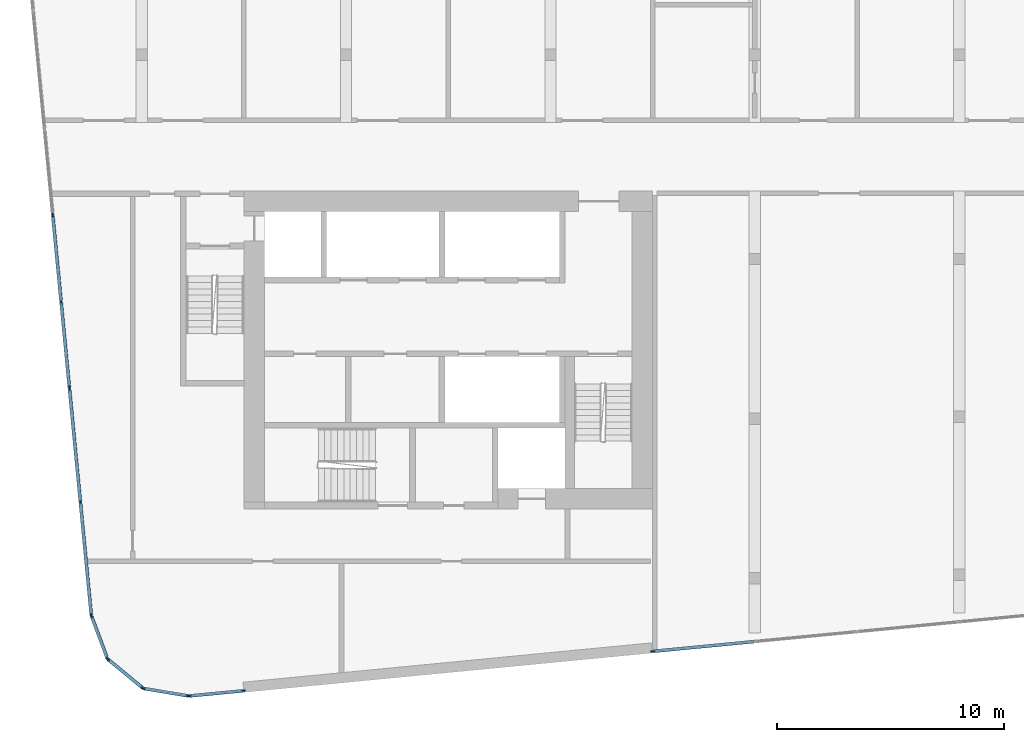
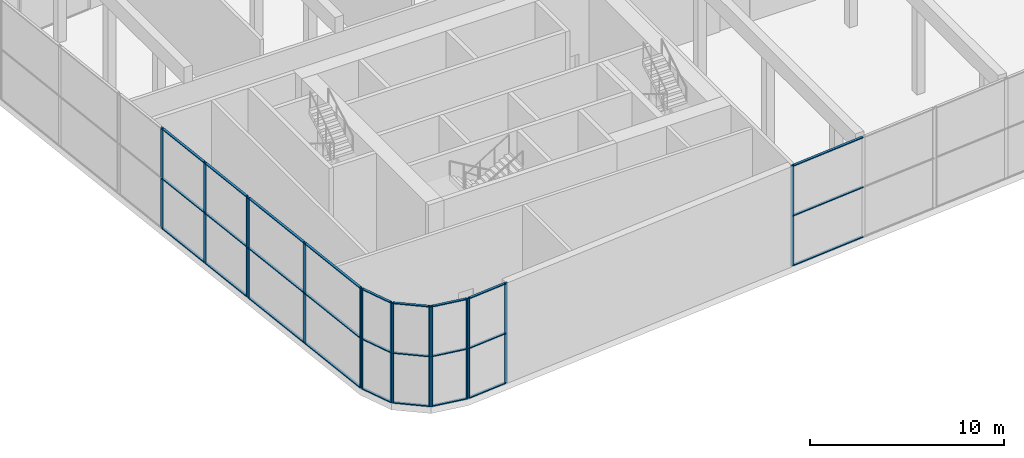
# One storey, part 2 of 24: 42 members, 7 elements without a shape of their own.
"""IFC4 building model written with IfcOpenShell, lengths in metres."""

import ifcopenshell
import ifcopenshell.guid

model = None  # the IFC model being written
_history = None  # IfcOwnerHistory: only IFC2X3 demands one
_inside = {}  # id of a spatial element -> (the spatial element, [elements in it])
_under = {}  # id of a project, library or spatial element -> (it, [spatial elements below it])
_declared = {}  # id of a project -> (the project, [libraries it declares])
_typed = {}  # id of a type object -> (the type object, [elements of that type])
_made_of = {}  # id of a material, layer set ... -> (it, [elements and type objects made of it])


def new_model(schema):
    """Start an empty IFC model of exactly this schema.

    Asked for "IFC4X3", IfcOpenShell would pick the latest addendum, in which some entities
    have other attributes; the version numbers below select the first issue.
    IFC2X3 requires an IfcOwnerHistory on every rooted entity: one is made here for all.
    """
    global model, _history
    if schema == "IFC4X3":
        model = ifcopenshell.file(schema_version=(4, 3, 0, 0))
    else:
        model = ifcopenshell.file(schema=schema)
    _inside.clear()
    _under.clear()
    _declared.clear()
    _typed.clear()
    _made_of.clear()
    _history = None
    if model.schema == "IFC2X3":
        org = make("IfcOrganization", Name="unknown")
        user = make(
            "IfcPersonAndOrganization",
            ThePerson=make("IfcPerson", FamilyName="unknown"),
            TheOrganization=org,
        )
        app = make(
            "IfcApplication",
            ApplicationDeveloper=org,
            Version="unknown",
            ApplicationFullName="unknown",
            ApplicationIdentifier="unknown",
        )
        _history = make(
            "IfcOwnerHistory",
            OwningUser=user,
            OwningApplication=app,
            ChangeAction="ADDED",
            CreationDate=0,
        )
    return model


def make(cls, **values):
    """One entity of the class cls with the attributes given. An attribute that is None is left unset."""
    return model.create_entity(
        cls, **{name: value for name, value in values.items() if value is not None}
    )


def rooted(cls, **values):
    """An entity with a GlobalId (a new one), such as an element, a storey or a relation."""
    return make(cls, GlobalId=ifcopenshell.guid.new(), OwnerHistory=_history, **values)


def si_unit(unit_type, name, prefix=None):
    """IfcSIUnit, for example si_unit("LENGTHUNIT", "METRE", prefix="MILLI")."""
    return make("IfcSIUnit", UnitType=unit_type, Prefix=prefix, Name=name)


def assignment(units):
    """IfcUnitAssignment: the units of a project."""
    return None if units is None else make("IfcUnitAssignment", Units=units)


def point(xyz):
    """IfcCartesianPoint."""
    return None if xyz is None else make("IfcCartesianPoint", Coordinates=xyz)


def direction(xyz):
    """IfcDirection."""
    return None if xyz is None else make("IfcDirection", DirectionRatios=xyz)


def frame(location, z_axis=None, x_axis=None):
    """IfcAxis2Placement3D, a coordinate frame: its origin and axes. An axis left out is left unset."""
    return make(
        "IfcAxis2Placement3D",
        Location=point(location),
        Axis=direction(z_axis),
        RefDirection=direction(x_axis),
    )


def frame_2d(location, x_axis=None):
    """IfcAxis2Placement2D, a coordinate frame in the plane: its origin and x axis."""
    return make(
        "IfcAxis2Placement2D", Location=point(location), RefDirection=direction(x_axis)
    )


def origin():
    """The frame at (0, 0, 0) with its axes left unset."""
    return frame((0.0, 0.0, 0.0))


def origin_2d():
    """The frame at (0, 0) in the plane with its x axis left unset."""
    return frame_2d((0.0, 0.0))


def place(relative_to, where):
    """IfcLocalPlacement: puts the frame where relative to a parent placement (None: the world)."""
    return make(
        "IfcLocalPlacement", PlacementRelTo=relative_to, RelativePlacement=where
    )


def context(
    kind, dimensions, precision=None, world=None, true_north=None, identifier=None
):
    """IfcGeometricRepresentationContext, for example the 3D "Model" context."""
    return make(
        "IfcGeometricRepresentationContext",
        ContextIdentifier=identifier,
        ContextType=kind,
        CoordinateSpaceDimension=dimensions,
        Precision=precision,
        WorldCoordinateSystem=world,
        TrueNorth=true_north,
    )


def subcontext(parent, identifier, kind, view, scale=None):
    """IfcGeometricRepresentationSubContext, for example "Body" below "Model"."""
    return make(
        "IfcGeometricRepresentationSubContext",
        ContextIdentifier=identifier,
        ContextType=kind,
        ParentContext=parent,
        TargetScale=scale,
        TargetView=view,
    )


def project(units=None, contexts=None):
    """IfcProject with its units and contexts."""
    return rooted(
        "IfcProject",
        Name="project",
        RepresentationContexts=contexts,
        UnitsInContext=assignment(units),
    )


def spatial(cls, under=None, at=None, **own):
    """A site, building, storey or space (cls), placed at a placement, below another one or the project."""
    s = rooted(cls, ObjectPlacement=at, **own)
    if under is not None:
        _under.setdefault(under.id(), (under, []))[1].append(s)
    return s


def profile(cls, at=None, kind="AREA", **sizes):
    """A parametric profile (cls). Its sizes go by their IFC names, for example OverallWidth=200.0."""
    return make(cls, ProfileType=kind, Position=at, **sizes)


def rectangle(**sizes):
    """IfcRectangleProfileDef."""
    return profile("IfcRectangleProfileDef", **sizes)


def extrude(swept, where, along, depth):
    """IfcExtrudedAreaSolid: the profile swept, set in the frame where, extruded along a direction by depth."""
    return make(
        "IfcExtrudedAreaSolid",
        SweptArea=swept,
        Position=where,
        ExtrudedDirection=direction(along),
        Depth=depth,
    )


def shape(context_of_items, identifier, shape_type, items):
    """IfcShapeRepresentation: the items that make up one representation, for example the "Body"."""
    return make(
        "IfcShapeRepresentation",
        ContextOfItems=context_of_items,
        RepresentationIdentifier=identifier,
        RepresentationType=shape_type,
        Items=items,
    )


def material(Name=None, Category=None):
    """IfcMaterial."""
    return make("IfcMaterial", Name=Name, Category=Category)


def material_profile(
    of_material, cross_section, Name=None, Category=None, Priority=None
):
    """IfcMaterialProfile: a cross section and its material."""
    return make(
        "IfcMaterialProfile",
        Name=Name,
        Material=of_material,
        Profile=cross_section,
        Priority=Priority,
        Category=Category,
    )


def profile_set(profiles, Name=None, composite=None):
    """IfcMaterialProfileSet."""
    return make(
        "IfcMaterialProfileSet",
        Name=Name,
        MaterialProfiles=profiles,
        CompositeProfile=composite,
    )


def made_of(thing, what):
    """Note that an element or type object is made of a material, layer set ...; save() writes the relation."""
    if what is not None:
        _made_of.setdefault(what.id(), (what, []))[1].append(thing)
    return thing


def type_object(cls, material=None, **own):
    """A type object (cls), such as IfcWallType, which elements share."""
    return made_of(rooted(cls, **own), material)


def element(
    cls,
    number,
    at=None,
    inside=None,
    cuts=None,
    type_object=None,
    material=None,
    context=None,
    identifier="Body",
    shape_type=None,
    held_by="IfcProductDefinitionShape",
    body=None,
    shapes=None,
    **own,
):
    """One element of the class cls, such as IfcWall. Its Tag is "e" and its number.

    at: its placement. inside: the storey or other place that contains it. cuts: it is an
    opening in that element (IfcRelVoidsElement). A single representation is given by context,
    identifier, shape_type and body (its items); several are given by shapes. held_by: the class
    of the entity that holds the representations. save() writes the other relations.
    """
    e = rooted(cls, Tag="e%d" % number, ObjectPlacement=at, **own)
    if body is not None:
        shapes = [shape(context, identifier, shape_type, body)]
    if shapes is not None:
        e.Representation = make(held_by, Representations=shapes)
    if inside is not None:
        _inside.setdefault(inside.id(), (inside, []))[1].append(e)
    if cuts is not None:
        rooted(
            "IfcRelVoidsElement", RelatingBuildingElement=cuts, RelatedOpeningElement=e
        )
    if type_object is not None:
        _typed.setdefault(type_object.id(), (type_object, []))[1].append(e)
    return made_of(e, material)


def aggregate(whole, parts):
    """IfcRelAggregates: a whole, such as a stair, and the parts it consists of."""
    return rooted("IfcRelAggregates", RelatingObject=whole, RelatedObjects=parts)


def save(model, path):
    """Write the relations noted so far, then the file.

    IfcRelAggregates (storeys below a building ...), IfcRelContainedInSpatialStructure (elements
    in a storey), IfcRelDefinesByType, IfcRelAssociatesMaterial and IfcRelDeclares: one each for
    every whole, place, type object, material and project.
    """
    for whole, parts in _under.values():
        aggregate(whole, parts)
    for where, things in _inside.values():
        rooted(
            "IfcRelContainedInSpatialStructure",
            RelatedElements=things,
            RelatingStructure=where,
        )
    for kind, things in _typed.values():
        rooted("IfcRelDefinesByType", RelatedObjects=things, RelatingType=kind)
    for what, things in _made_of.values():
        rooted("IfcRelAssociatesMaterial", RelatedObjects=things, RelatingMaterial=what)
    for by, libraries in _declared.values():
        rooted("IfcRelDeclares", RelatingContext=by, RelatedDefinitions=libraries)
    model.write(path)


model = new_model("IFC4")

# Units and contexts
model_context = context("Model", 3, precision=1e-05, world=origin(), true_north=direction((0.0, 1.0)))
body_context = subcontext(model_context, "Body", "Model", "MODEL_VIEW")
ifc_project = project(units=[si_unit("LENGTHUNIT", "METRE"), si_unit("AREAUNIT", "SQUARE_METRE"), si_unit("VOLUMEUNIT", "CUBIC_METRE"), si_unit("PLANEANGLEUNIT", "RADIAN"), si_unit("MASSUNIT", "GRAM", prefix="KILO")], contexts=[model_context])

# Site, building, storey
site_placement = place(None, origin())
site = spatial("IfcSite", under=ifc_project, at=site_placement, CompositionType="ELEMENT")
building_placement = place(site_placement, origin())
building = spatial("IfcBuilding", under=site, at=building_placement, Name="Kajstack Hotel Tower", CompositionType="ELEMENT")
storey_placement = place(building_placement, frame((0.0, 0.0, 261.89990234375)))
storey = spatial("IfcBuildingStorey", under=building, at=storey_placement, Name="L65", CompositionType="ELEMENT", Elevation=261.89990234375)

# Curtain wall, members
ifc_material_1 = material(Name="Aluminium-framed curtain wall, low-iron insulated glass", Category="aluminium")
curtain_wall_type = type_object("IfcCurtainWallType", Name="CW-GARDEN", PredefinedType="NOTDEFINED", material=ifc_material_1)
curtain_wall_1_placement = place(storey_placement, origin())
curtain_wall_1 = element("IfcCurtainWall", 1, at=curtain_wall_1_placement, inside=storey, type_object=curtain_wall_type, Name="Curtain wall CU6 L65-00-00-1", PredefinedType="NOTDEFINED")
ifc_material_2 = material(Name="Aluminium", Category="aluminium")
ifc_material_profile_1 = material_profile(ifc_material_2, rectangle(XDim=0.06005859375, YDim=0.199951171875, at=origin_2d()), Name="Aluminium mullion 60 x 200")
ifc_profile_set_1 = profile_set([ifc_material_profile_1], Name="Aluminium")
member_type_1 = type_object("IfcMemberType", Name="CW-M-GARDEN", PredefinedType="MULLION", material=ifc_profile_set_1)
member_1_placement = place(storey_placement, frame((-39.910888671875, -2.5927734375, 0.0), z_axis=(0.0, 0.0, 1.0), x_axis=(0.995396101069, 0.095846763, 0.0)))
member_1 = element("IfcMember", 2, at=member_1_placement, type_object=member_type_1, Name="CU6 mullion 2", PredefinedType="MULLION", context=body_context, shape_type="SweptSolid", body=[
    extrude(rectangle(XDim=0.06005859375, YDim=0.199951171875, at=origin_2d()), origin(), (0.0, 0.0, 1.0), 6.320068359375),
])
member_2_placement = place(storey_placement, frame((-39.544921875, -6.392822265625, 0.0), z_axis=(0.0, 0.0, 1.0), x_axis=(0.995396101069, 0.095846763, 0.0)))
member_2 = element("IfcMember", 3, at=member_2_placement, type_object=member_type_1, Name="CU6 mullion 3", PredefinedType="MULLION", context=body_context, shape_type="SweptSolid", body=[
    extrude(rectangle(XDim=0.06005859375, YDim=0.199951171875, at=origin_2d()), origin(), (0.0, 0.0, 1.0), 6.320068359375),
])
member_3_placement = place(storey_placement, frame((-39.181884765625, -10.1630859375, 0.0), z_axis=(0.0, 0.0, 1.0), x_axis=(0.995396101069, 0.095846763, 0.0)))
member_3 = element("IfcMember", 4, at=member_3_placement, type_object=member_type_1, Name="CU6 mullion 4", PredefinedType="MULLION", context=body_context, shape_type="SweptSolid", body=[
    extrude(rectangle(XDim=0.06005859375, YDim=0.199951171875, at=origin_2d()), origin(), (0.0, 0.0, 1.0), 6.320068359375),
])

curtain_wall_2_placement = place(storey_placement, origin())
curtain_wall_2 = element("IfcCurtainWall", 5, at=curtain_wall_2_placement, inside=storey, type_object=curtain_wall_type, Name="Curtain wall CU6 L65-00-00-2", PredefinedType="NOTDEFINED")
member_4_placement = place(storey_placement, frame((-39.17626953125, -10.22265625, 0.0), z_axis=(0.0, 0.0, 1.0), x_axis=(0.995396091199, 0.0958468655, 0.0)))
member_4 = element("IfcMember", 6, at=member_4_placement, type_object=member_type_1, Name="CU6 mullion 1", PredefinedType="MULLION", context=body_context, shape_type="SweptSolid", body=[
    extrude(rectangle(XDim=0.06005859375, YDim=0.199951171875, at=origin_2d()), origin(), (0.0, 0.0, 1.0), 6.320068359375),
])
member_5_placement = place(storey_placement, frame((-38.69677734375, -15.200927734375, 0.0), z_axis=(0.0, 0.0, 1.0), x_axis=(0.995396091199, 0.0958468655, 0.0)))
member_5 = element("IfcMember", 7, at=member_5_placement, type_object=member_type_1, Name="CU6 mullion 2", PredefinedType="MULLION", context=body_context, shape_type="SweptSolid", body=[
    extrude(rectangle(XDim=0.06005859375, YDim=0.199951171875, at=origin_2d()), origin(), (0.0, 0.0, 1.0), 6.320068359375),
])
member_6_placement = place(storey_placement, frame((-38.217529296875, -20.179443359375, 0.0), z_axis=(0.0, 0.0, 1.0), x_axis=(0.995396091199, 0.0958468655, 0.0)))
member_6 = element("IfcMember", 8, at=member_6_placement, type_object=member_type_1, Name="CU6 mullion 3", PredefinedType="MULLION", context=body_context, shape_type="SweptSolid", body=[
    extrude(rectangle(XDim=0.06005859375, YDim=0.199951171875, at=origin_2d()), origin(), (0.0, 0.0, 1.0), 6.320068359375),
])

curtain_wall_3_placement = place(storey_placement, origin())
curtain_wall_3 = element("IfcCurtainWall", 9, at=curtain_wall_3_placement, inside=storey, type_object=curtain_wall_type, Name="Curtain wall CU6 L65-01-00-0", PredefinedType="NOTDEFINED")
member_7_placement = place(storey_placement, frame((-38.20849609375, -20.21826171875, 0.0), z_axis=(0.0, 0.0, 1.0), x_axis=(0.936674082046, 0.3502023187, 0.0)))
member_7 = element("IfcMember", 10, at=member_7_placement, type_object=member_type_1, Name="CU6 mullion 1", PredefinedType="MULLION", context=body_context, shape_type="SweptSolid", body=[
    extrude(rectangle(XDim=0.06005859375, YDim=0.199951171875, at=origin_2d()), origin(), (0.0, 0.0, 1.0), 6.320068359375),
])
member_8_placement = place(storey_placement, frame((-37.50439453125, -22.101318359375, 0.0), z_axis=(0.0, 0.0, 1.0), x_axis=(0.936674082046, 0.3502023187, 0.0)))
member_8 = element("IfcMember", 11, at=member_8_placement, type_object=member_type_1, Name="CU6 mullion 2", PredefinedType="MULLION", context=body_context, shape_type="SweptSolid", body=[
    extrude(rectangle(XDim=0.06005859375, YDim=0.199951171875, at=origin_2d()), origin(), (0.0, 0.0, 1.0), 6.320068359375),
])

curtain_wall_4_placement = place(storey_placement, origin())
curtain_wall_4 = element("IfcCurtainWall", 12, at=curtain_wall_4_placement, inside=storey, type_object=curtain_wall_type, Name="Curtain wall CU6 L65-02-00-0", PredefinedType="NOTDEFINED")
member_9_placement = place(storey_placement, frame((-37.4931640625, -22.116943359375, 0.0), z_axis=(0.0, 0.0, 1.0), x_axis=(0.636094828048, 0.771610892698, 0.0)))
member_9 = element("IfcMember", 13, at=member_9_placement, type_object=member_type_1, Name="CU6 mullion 1", PredefinedType="MULLION", context=body_context, shape_type="SweptSolid", body=[
    extrude(rectangle(XDim=0.06005859375, YDim=0.199951171875, at=origin_2d()), origin(), (0.0, 0.0, 1.0), 6.320068359375),
])
member_10_placement = place(storey_placement, frame((-35.94189453125, -23.39599609375, 0.0), z_axis=(0.0, 0.0, 1.0), x_axis=(0.636094828048, 0.771610892698, 0.0)))
member_10 = element("IfcMember", 14, at=member_10_placement, type_object=member_type_1, Name="CU6 mullion 2", PredefinedType="MULLION", context=body_context, shape_type="SweptSolid", body=[
    extrude(rectangle(XDim=0.06005859375, YDim=0.199951171875, at=origin_2d()), origin(), (0.0, 0.0, 1.0), 6.320068359375),
])

curtain_wall_5_placement = place(storey_placement, origin())
curtain_wall_5 = element("IfcCurtainWall", 15, at=curtain_wall_5_placement, inside=storey, type_object=curtain_wall_type, Name="Curtain wall CU6 L65-03-00-0", PredefinedType="NOTDEFINED")
member_11_placement = place(storey_placement, frame((-35.92431640625, -23.40380859375, 0.0), z_axis=(0.0, 0.0, 1.0), x_axis=(0.16503335054, 0.986287986954, 0.0)))
member_11 = element("IfcMember", 16, at=member_11_placement, type_object=member_type_1, Name="CU6 mullion 1", PredefinedType="MULLION", context=body_context, shape_type="SweptSolid", body=[
    extrude(rectangle(XDim=0.06005859375, YDim=0.199951171875, at=origin_2d()), origin(), (0.0, 0.0, 1.0), 6.320068359375),
])
member_12_placement = place(storey_placement, frame((-33.94140625, -23.735595703125, 0.0), z_axis=(0.0, 0.0, 1.0), x_axis=(0.16503335054, 0.986287986954, 0.0)))
member_12 = element("IfcMember", 17, at=member_12_placement, type_object=member_type_1, Name="CU6 mullion 2", PredefinedType="MULLION", context=body_context, shape_type="SweptSolid", body=[
    extrude(rectangle(XDim=0.06005859375, YDim=0.199951171875, at=origin_2d()), origin(), (0.0, 0.0, 1.0), 6.320068359375),
])

curtain_wall_6_placement = place(storey_placement, origin())
curtain_wall_6 = element("IfcCurtainWall", 18, at=curtain_wall_6_placement, inside=storey, type_object=curtain_wall_type, Name="Curtain wall CU6 L65-04-00-0", PredefinedType="NOTDEFINED")
member_13_placement = place(storey_placement, frame((-33.901611328125, -23.737060546875, 0.0), z_axis=(0.0, 0.0, 1.0), x_axis=(-0.095846081442, 0.995396166696, 0.0)))
member_13 = element("IfcMember", 19, at=member_13_placement, type_object=member_type_1, Name="CU6 mullion 1", PredefinedType="MULLION", context=body_context, shape_type="SweptSolid", body=[
    extrude(rectangle(XDim=0.06005859375, YDim=0.199951171875, at=origin_2d()), origin(), (0.0, 0.0, 1.0), 6.320068359375),
])
member_14_placement = place(storey_placement, frame((-31.537109375, -23.50927734375, 0.0), z_axis=(0.0, 0.0, 1.0), x_axis=(-0.095846081442, 0.995396166696, 0.0)))
member_14 = element("IfcMember", 20, at=member_14_placement, type_object=member_type_1, Name="CU6 mullion 2", PredefinedType="MULLION", context=body_context, shape_type="SweptSolid", body=[
    extrude(rectangle(XDim=0.06005859375, YDim=0.199951171875, at=origin_2d()), origin(), (0.0, 0.0, 1.0), 6.320068359375),
])

# Curtain wall, member
curtain_wall_7_placement = place(storey_placement, origin())
curtain_wall_7 = element("IfcCurtainWall", 21, at=curtain_wall_7_placement, inside=storey, type_object=curtain_wall_type, Name="Curtain wall CU6 L65-04-02-0", PredefinedType="NOTDEFINED")
member_15_placement = place(storey_placement, frame((-13.477294921875, -21.7705078125, 0.0), z_axis=(0.0, 0.0, 1.0), x_axis=(-0.095846360834, 0.995396139793, 0.0)))
member_15 = element("IfcMember", 22, at=member_15_placement, type_object=member_type_1, Name="CU6 mullion 1", PredefinedType="MULLION", context=body_context, shape_type="SweptSolid", body=[
    extrude(rectangle(XDim=0.06005859375, YDim=0.199951171875, at=origin_2d()), origin(), (0.0, 0.0, 1.0), 6.320068359375),
])

# Member
ifc_material_profile_2 = material_profile(ifc_material_2, rectangle(XDim=0.139892578125, YDim=0.06005859375, at=origin_2d()), Name="Aluminium transom 140 x 60")
ifc_profile_set_2 = profile_set([ifc_material_profile_2], Name="Aluminium")
member_type_2 = type_object("IfcMemberType", Name="CW-T-GARDEN", PredefinedType="USERDEFINED", material=ifc_profile_set_2)
member_16_placement = place(storey_placement, frame((-39.907958984375, -2.622802734375, 0.030029296875), z_axis=(0.095836210686, -0.995397117095, 0.0), x_axis=(0.995397117095, 0.095836210686, 0.0)))
member_16 = element("IfcMember", 23, at=member_16_placement, type_object=member_type_2, Name="CU6 transom 2.1", ObjectType="TRANSOM", PredefinedType="USERDEFINED", context=body_context, shape_type="SweptSolid", body=[
    extrude(rectangle(XDim=0.139892578125, YDim=0.06005859375, at=origin_2d()), origin(), (0.0, 0.0, 1.0), 3.757568359375),
])

member_17_placement = place(storey_placement, frame((-39.907958984375, -2.622802734375, 3.16015625), z_axis=(0.095836210686, -0.995397117095, 0.0), x_axis=(0.995397117095, 0.095836210686, 0.0)))
member_17 = element("IfcMember", 24, at=member_17_placement, type_object=member_type_2, Name="CU6 transom 2.2", ObjectType="TRANSOM", PredefinedType="USERDEFINED", context=body_context, shape_type="SweptSolid", body=[
    extrude(rectangle(XDim=0.139892578125, YDim=0.06005859375, at=origin_2d()), origin(), (0.0, 0.0, 1.0), 3.757568359375),
])

member_18_placement = place(storey_placement, frame((-39.907958984375, -2.622802734375, 6.2900390625), z_axis=(0.095836210686, -0.995397117095, 0.0), x_axis=(0.995397117095, 0.095836210686, 0.0)))
member_18 = element("IfcMember", 25, at=member_18_placement, type_object=member_type_2, Name="CU6 transom 2.3", ObjectType="TRANSOM", PredefinedType="USERDEFINED", context=body_context, shape_type="SweptSolid", body=[
    extrude(rectangle(XDim=0.139892578125, YDim=0.06005859375, at=origin_2d()), origin(), (0.0, 0.0, 1.0), 3.757568359375),
])

member_19_placement = place(storey_placement, frame((-39.5419921875, -6.422607421875, 0.030029296875), z_axis=(0.095819733063, -0.995398703413, 0.0), x_axis=(0.995398703413, 0.095819733063, 0.0)))
member_19 = element("IfcMember", 26, at=member_19_placement, type_object=member_type_2, Name="CU6 transom 3.1", ObjectType="TRANSOM", PredefinedType="USERDEFINED", context=body_context, shape_type="SweptSolid", body=[
    extrude(rectangle(XDim=0.139892578125, YDim=0.06005859375, at=origin_2d()), origin(), (0.0, 0.0, 1.0), 3.7275390625),
])

member_20_placement = place(storey_placement, frame((-39.5419921875, -6.422607421875, 3.16015625), z_axis=(0.095819733063, -0.995398703413, 0.0), x_axis=(0.995398703413, 0.095819733063, 0.0)))
member_20 = element("IfcMember", 27, at=member_20_placement, type_object=member_type_2, Name="CU6 transom 3.2", ObjectType="TRANSOM", PredefinedType="USERDEFINED", context=body_context, shape_type="SweptSolid", body=[
    extrude(rectangle(XDim=0.139892578125, YDim=0.06005859375, at=origin_2d()), origin(), (0.0, 0.0, 1.0), 3.7275390625),
])

member_21_placement = place(storey_placement, frame((-39.5419921875, -6.422607421875, 6.2900390625), z_axis=(0.095819733063, -0.995398703413, 0.0), x_axis=(0.995398703413, 0.095819733063, 0.0)))
member_21 = element("IfcMember", 28, at=member_21_placement, type_object=member_type_2, Name="CU6 transom 3.3", ObjectType="TRANSOM", PredefinedType="USERDEFINED", context=body_context, shape_type="SweptSolid", body=[
    extrude(rectangle(XDim=0.139892578125, YDim=0.06005859375, at=origin_2d()), origin(), (0.0, 0.0, 1.0), 3.7275390625),
])

aggregate(curtain_wall_1, [member_1, member_2, member_3, member_16, member_17, member_18, member_19, member_20, member_21])

member_22_placement = place(storey_placement, frame((-39.17333984375, -10.25244140625, 0.030029296875), z_axis=(0.095848912225, -0.995395894117, 0.0), x_axis=(0.995395894117, 0.095848912225, 0.0)))
member_22 = element("IfcMember", 29, at=member_22_placement, type_object=member_type_2, Name="CU6 transom 1.1", ObjectType="TRANSOM", PredefinedType="USERDEFINED", context=body_context, shape_type="SweptSolid", body=[
    extrude(rectangle(XDim=0.139892578125, YDim=0.06005859375, at=origin_2d()), origin(), (0.0, 0.0, 1.0), 4.94140625),
])

member_23_placement = place(storey_placement, frame((-39.17333984375, -10.25244140625, 3.16015625), z_axis=(0.095848912225, -0.995395894117, 0.0), x_axis=(0.995395894117, 0.095848912225, 0.0)))
member_23 = element("IfcMember", 30, at=member_23_placement, type_object=member_type_2, Name="CU6 transom 1.2", ObjectType="TRANSOM", PredefinedType="USERDEFINED", context=body_context, shape_type="SweptSolid", body=[
    extrude(rectangle(XDim=0.139892578125, YDim=0.06005859375, at=origin_2d()), origin(), (0.0, 0.0, 1.0), 4.94140625),
])

member_24_placement = place(storey_placement, frame((-39.17333984375, -10.25244140625, 6.2900390625), z_axis=(0.095848912225, -0.995395894117, 0.0), x_axis=(0.995395894117, 0.095848912225, 0.0)))
member_24 = element("IfcMember", 31, at=member_24_placement, type_object=member_type_2, Name="CU6 transom 1.3", ObjectType="TRANSOM", PredefinedType="USERDEFINED", context=body_context, shape_type="SweptSolid", body=[
    extrude(rectangle(XDim=0.139892578125, YDim=0.06005859375, at=origin_2d()), origin(), (0.0, 0.0, 1.0), 4.94140625),
])

member_25_placement = place(storey_placement, frame((-38.69384765625, -15.23095703125, 0.030029296875), z_axis=(0.095853626226, -0.995395440184, 0.0), x_axis=(0.995395440184, 0.095853626226, 0.0)))
member_25 = element("IfcMember", 32, at=member_25_placement, type_object=member_type_2, Name="CU6 transom 2.1", ObjectType="TRANSOM", PredefinedType="USERDEFINED", context=body_context, shape_type="SweptSolid", body=[
    extrude(rectangle(XDim=0.139892578125, YDim=0.06005859375, at=origin_2d()), origin(), (0.0, 0.0, 1.0), 4.941162109375),
])

member_26_placement = place(storey_placement, frame((-38.69384765625, -15.23095703125, 3.16015625), z_axis=(0.095853626226, -0.995395440184, 0.0), x_axis=(0.995395440184, 0.095853626226, 0.0)))
member_26 = element("IfcMember", 33, at=member_26_placement, type_object=member_type_2, Name="CU6 transom 2.2", ObjectType="TRANSOM", PredefinedType="USERDEFINED", context=body_context, shape_type="SweptSolid", body=[
    extrude(rectangle(XDim=0.139892578125, YDim=0.06005859375, at=origin_2d()), origin(), (0.0, 0.0, 1.0), 4.941162109375),
])

member_27_placement = place(storey_placement, frame((-38.69384765625, -15.23095703125, 6.2900390625), z_axis=(0.095853626226, -0.995395440184, 0.0), x_axis=(0.995395440184, 0.095853626226, 0.0)))
member_27 = element("IfcMember", 34, at=member_27_placement, type_object=member_type_2, Name="CU6 transom 2.3", ObjectType="TRANSOM", PredefinedType="USERDEFINED", context=body_context, shape_type="SweptSolid", body=[
    extrude(rectangle(XDim=0.139892578125, YDim=0.06005859375, at=origin_2d()), origin(), (0.0, 0.0, 1.0), 4.941162109375),
])

aggregate(curtain_wall_2, [member_4, member_5, member_6, member_22, member_23, member_24, member_25, member_26, member_27])

member_28_placement = place(storey_placement, frame((-38.197998046875, -20.246337890625, 0.030029296875), z_axis=(0.350231645231, -0.936663116963, 0.0), x_axis=(0.936663116963, 0.350231645231, 0.0)))
member_28 = element("IfcMember", 35, at=member_28_placement, type_object=member_type_2, Name="CU6 transom 1.1", ObjectType="TRANSOM", PredefinedType="USERDEFINED", context=body_context, shape_type="SweptSolid", body=[
    extrude(rectangle(XDim=0.139892578125, YDim=0.06005859375, at=origin_2d()), origin(), (0.0, 0.0, 1.0), 1.950439453125),
])

member_29_placement = place(storey_placement, frame((-38.197998046875, -20.246337890625, 3.16015625), z_axis=(0.350231645231, -0.936663116963, 0.0), x_axis=(0.936663116963, 0.350231645231, 0.0)))
member_29 = element("IfcMember", 36, at=member_29_placement, type_object=member_type_2, Name="CU6 transom 1.2", ObjectType="TRANSOM", PredefinedType="USERDEFINED", context=body_context, shape_type="SweptSolid", body=[
    extrude(rectangle(XDim=0.139892578125, YDim=0.06005859375, at=origin_2d()), origin(), (0.0, 0.0, 1.0), 1.950439453125),
])

member_30_placement = place(storey_placement, frame((-38.197998046875, -20.246337890625, 6.2900390625), z_axis=(0.350231645231, -0.936663116963, 0.0), x_axis=(0.936663116963, 0.350231645231, 0.0)))
member_30 = element("IfcMember", 37, at=member_30_placement, type_object=member_type_2, Name="CU6 transom 1.3", ObjectType="TRANSOM", PredefinedType="USERDEFINED", context=body_context, shape_type="SweptSolid", body=[
    extrude(rectangle(XDim=0.139892578125, YDim=0.06005859375, at=origin_2d()), origin(), (0.0, 0.0, 1.0), 1.950439453125),
])

aggregate(curtain_wall_3, [member_7, member_8, member_28, member_29, member_30])

member_31_placement = place(storey_placement, frame((-37.47021484375, -22.135986328125, 0.030029296875), z_axis=(0.771565230833, -0.63615021384, 0.0), x_axis=(0.63615021384, 0.771565230833, 0.0)))
member_31 = element("IfcMember", 38, at=member_31_placement, type_object=member_type_2, Name="CU6 transom 1.1", ObjectType="TRANSOM", PredefinedType="USERDEFINED", context=body_context, shape_type="SweptSolid", body=[
    extrude(rectangle(XDim=0.139892578125, YDim=0.06005859375, at=origin_2d()), origin(), (0.0, 0.0, 1.0), 1.95068359375),
])

member_32_placement = place(storey_placement, frame((-37.47021484375, -22.135986328125, 3.16015625), z_axis=(0.771565230833, -0.63615021384, 0.0), x_axis=(0.63615021384, 0.771565230833, 0.0)))
member_32 = element("IfcMember", 39, at=member_32_placement, type_object=member_type_2, Name="CU6 transom 1.2", ObjectType="TRANSOM", PredefinedType="USERDEFINED", context=body_context, shape_type="SweptSolid", body=[
    extrude(rectangle(XDim=0.139892578125, YDim=0.06005859375, at=origin_2d()), origin(), (0.0, 0.0, 1.0), 1.95068359375),
])

member_33_placement = place(storey_placement, frame((-37.47021484375, -22.135986328125, 6.2900390625), z_axis=(0.771565230833, -0.63615021384, 0.0), x_axis=(0.63615021384, 0.771565230833, 0.0)))
member_33 = element("IfcMember", 40, at=member_33_placement, type_object=member_type_2, Name="CU6 transom 1.3", ObjectType="TRANSOM", PredefinedType="USERDEFINED", context=body_context, shape_type="SweptSolid", body=[
    extrude(rectangle(XDim=0.139892578125, YDim=0.06005859375, at=origin_2d()), origin(), (0.0, 0.0, 1.0), 1.95068359375),
])

aggregate(curtain_wall_4, [member_9, member_10, member_31, member_32, member_33])

member_34_placement = place(storey_placement, frame((-35.894775390625, -23.408935546875, 0.030029296875), z_axis=(0.986295633872, -0.164987643793, 0.0), x_axis=(0.164987643793, 0.986295633872, 0.0)))
member_34 = element("IfcMember", 41, at=member_34_placement, type_object=member_type_2, Name="CU6 transom 1.1", ObjectType="TRANSOM", PredefinedType="USERDEFINED", context=body_context, shape_type="SweptSolid", body=[
    extrude(rectangle(XDim=0.139892578125, YDim=0.06005859375, at=origin_2d()), origin(), (0.0, 0.0, 1.0), 1.9501953125),
])

member_35_placement = place(storey_placement, frame((-35.894775390625, -23.408935546875, 3.16015625), z_axis=(0.986295633872, -0.164987643793, 0.0), x_axis=(0.164987643793, 0.986295633872, 0.0)))
member_35 = element("IfcMember", 42, at=member_35_placement, type_object=member_type_2, Name="CU6 transom 1.2", ObjectType="TRANSOM", PredefinedType="USERDEFINED", context=body_context, shape_type="SweptSolid", body=[
    extrude(rectangle(XDim=0.139892578125, YDim=0.06005859375, at=origin_2d()), origin(), (0.0, 0.0, 1.0), 1.9501953125),
])

member_36_placement = place(storey_placement, frame((-35.894775390625, -23.408935546875, 6.2900390625), z_axis=(0.986295633872, -0.164987643793, 0.0), x_axis=(0.164987643793, 0.986295633872, 0.0)))
member_36 = element("IfcMember", 43, at=member_36_placement, type_object=member_type_2, Name="CU6 transom 1.3", ObjectType="TRANSOM", PredefinedType="USERDEFINED", context=body_context, shape_type="SweptSolid", body=[
    extrude(rectangle(XDim=0.139892578125, YDim=0.06005859375, at=origin_2d()), origin(), (0.0, 0.0, 1.0), 1.9501953125),
])

aggregate(curtain_wall_5, [member_11, member_12, member_34, member_35, member_36])

member_37_placement = place(storey_placement, frame((-33.871826171875, -23.734130859375, 0.030029296875), z_axis=(0.995396851202, 0.095838972327, 0.0), x_axis=(-0.095838972327, 0.995396851202, 0.0)))
member_37 = element("IfcMember", 44, at=member_37_placement, type_object=member_type_2, Name="CU6 transom 1.1", ObjectType="TRANSOM", PredefinedType="USERDEFINED", context=body_context, shape_type="SweptSolid", body=[
    extrude(rectangle(XDim=0.139892578125, YDim=0.06005859375, at=origin_2d()), origin(), (0.0, 0.0, 1.0), 2.315673828125),
])

member_38_placement = place(storey_placement, frame((-33.871826171875, -23.734130859375, 3.16015625), z_axis=(0.995396851202, 0.095838972327, 0.0), x_axis=(-0.095838972327, 0.995396851202, 0.0)))
member_38 = element("IfcMember", 45, at=member_38_placement, type_object=member_type_2, Name="CU6 transom 1.2", ObjectType="TRANSOM", PredefinedType="USERDEFINED", context=body_context, shape_type="SweptSolid", body=[
    extrude(rectangle(XDim=0.139892578125, YDim=0.06005859375, at=origin_2d()), origin(), (0.0, 0.0, 1.0), 2.315673828125),
])

member_39_placement = place(storey_placement, frame((-33.871826171875, -23.734130859375, 6.2900390625), z_axis=(0.995396851202, 0.095838972327, 0.0), x_axis=(-0.095838972327, 0.995396851202, 0.0)))
member_39 = element("IfcMember", 46, at=member_39_placement, type_object=member_type_2, Name="CU6 transom 1.3", ObjectType="TRANSOM", PredefinedType="USERDEFINED", context=body_context, shape_type="SweptSolid", body=[
    extrude(rectangle(XDim=0.139892578125, YDim=0.06005859375, at=origin_2d()), origin(), (0.0, 0.0, 1.0), 2.315673828125),
])

aggregate(curtain_wall_6, [member_13, member_14, member_37, member_38, member_39])

member_40_placement = place(storey_placement, frame((-13.447509765625, -21.767578125, 0.030029296875), z_axis=(0.995393367938, 0.095875143106, 0.0), x_axis=(-0.095875143106, 0.995393367938, 0.0)))
member_40 = element("IfcMember", 47, at=member_40_placement, type_object=member_type_2, Name="CU6 transom 1.1", ObjectType="TRANSOM", PredefinedType="USERDEFINED", context=body_context, shape_type="SweptSolid", body=[
    extrude(rectangle(XDim=0.139892578125, YDim=0.06005859375, at=origin_2d()), origin(), (0.0, 0.0, 1.0), 4.430908203125),
])

member_41_placement = place(storey_placement, frame((-13.447509765625, -21.767578125, 3.16015625), z_axis=(0.995393367938, 0.095875143106, 0.0), x_axis=(-0.095875143106, 0.995393367938, 0.0)))
member_41 = element("IfcMember", 48, at=member_41_placement, type_object=member_type_2, Name="CU6 transom 1.2", ObjectType="TRANSOM", PredefinedType="USERDEFINED", context=body_context, shape_type="SweptSolid", body=[
    extrude(rectangle(XDim=0.139892578125, YDim=0.06005859375, at=origin_2d()), origin(), (0.0, 0.0, 1.0), 4.430908203125),
])

member_42_placement = place(storey_placement, frame((-13.447509765625, -21.767578125, 6.2900390625), z_axis=(0.995393367938, 0.095875143106, 0.0), x_axis=(-0.095875143106, 0.995393367938, 0.0)))
member_42 = element("IfcMember", 49, at=member_42_placement, type_object=member_type_2, Name="CU6 transom 1.3", ObjectType="TRANSOM", PredefinedType="USERDEFINED", context=body_context, shape_type="SweptSolid", body=[
    extrude(rectangle(XDim=0.139892578125, YDim=0.06005859375, at=origin_2d()), origin(), (0.0, 0.0, 1.0), 4.430908203125),
])

aggregate(curtain_wall_7, [member_15, member_40, member_41, member_42])

save(model, "model.ifc")
